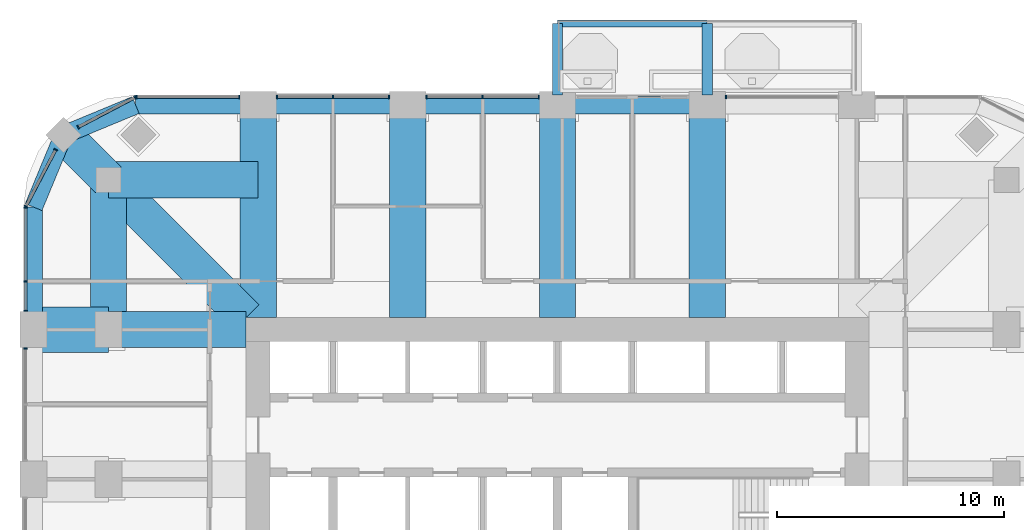
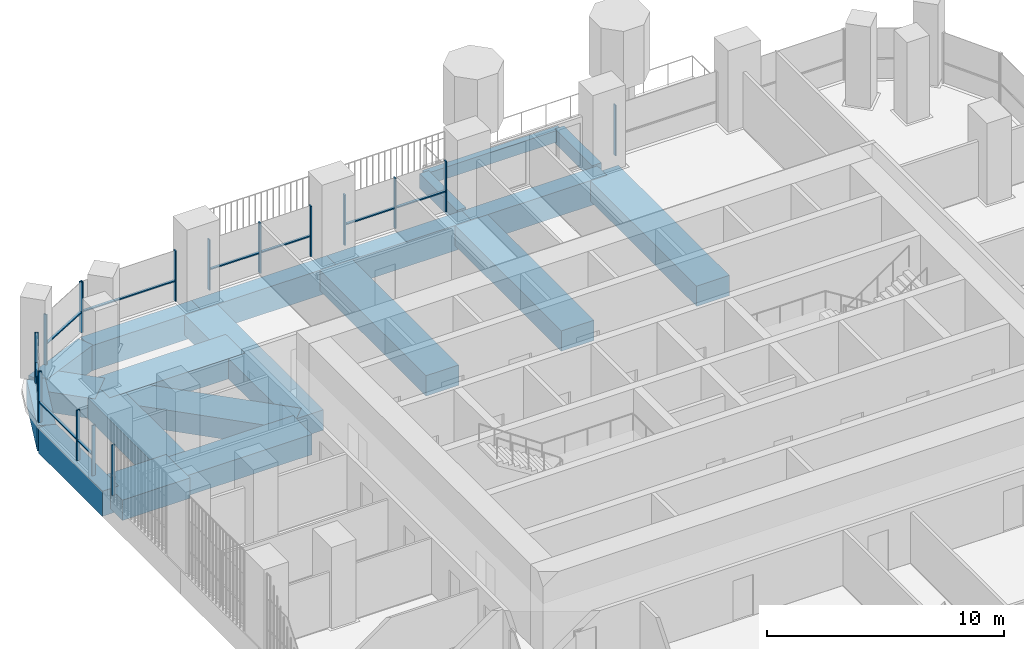
# One storey, part 6 of 20: 26 members, 20 beams, 8 elements without a shape of their own.
"""IFC4 building model written with IfcOpenShell, lengths in metres."""

from ifc_helpers import new_model, si_unit, direction, frame, origin, origin_2d, place, context, subcontext, project, spatial, rectangle, extrude, material, material_profile, profile_set, type_object, element, aggregate, save


model = new_model("IFC4")

# Units and contexts
model_context = context("Model", 3, precision=1e-05, world=origin(), true_north=direction((0.0, 1.0)))
body_context = subcontext(model_context, "Body", "Model", "MODEL_VIEW")
ifc_project = project(units=[si_unit("LENGTHUNIT", "METRE"), si_unit("AREAUNIT", "SQUARE_METRE"), si_unit("VOLUMEUNIT", "CUBIC_METRE"), si_unit("PLANEANGLEUNIT", "RADIAN"), si_unit("MASSUNIT", "GRAM", prefix="KILO")], contexts=[model_context])

# Site, building, storey
site_placement = place(None, origin())
site = spatial("IfcSite", under=ifc_project, at=site_placement, CompositionType="ELEMENT")
building_placement = place(site_placement, origin())
building = spatial("IfcBuilding", under=site, at=building_placement, Name="Cobogo Forest Laboratory Tower", CompositionType="ELEMENT")
storey_placement = place(building_placement, frame((0.0, 0.0, 214.5)))
storey = spatial("IfcBuildingStorey", under=building, at=storey_placement, Name="L49", CompositionType="ELEMENT", Elevation=214.5)

# Beams
ifc_material_1 = material(Name="Concrete HA-40 (C40/50)", Category="concrete")
ifc_material_profile_1 = material_profile(ifc_material_1, rectangle(XDim=0.449951171875, YDim=0.75, at=origin_2d()), Name="RC 450x750")
ifc_profile_set_1 = profile_set([ifc_material_profile_1], Name="Concrete HA-40 (C40/50)")
beam_type_1 = type_object("IfcBeamType", Name="Balcony cantilever beam 450x750", PredefinedType="BEAM", material=ifc_profile_set_1)
for number, where, z_axis, x_axis, name in (
    (1, (26.39990234375, 43.35009765625, -0.625), (0.0, 1.0, 0.0), (-1.0, 0.0, 0.0), "CB1 BAL-N1-C1 L49"),
    (2, (33.0, 43.35009765625, -0.625), (0.0, 1.0, 0.0), (-1.0, 0.0, 0.0), "CB1 BAL-N1-C2 L49"),
):
    element("IfcBeam", number, at=place(storey_placement, frame(where, z_axis=z_axis, x_axis=x_axis)), inside=storey, type_object=beam_type_1, Name=name, PredefinedType="BEAM", context=body_context, shape_type="SweptSolid", body=[
        extrude(rectangle(XDim=0.449951171875, YDim=0.75, at=origin_2d()), origin(), (0.0, 0.0, 1.0), 3.14990234375),
    ])
ifc_material_profile_2 = material_profile(ifc_material_1, rectangle(XDim=0.300048828125, YDim=0.60009765625, at=origin_2d()), Name="RC 300x600")
ifc_profile_set_2 = profile_set([ifc_material_profile_2], Name="Concrete HA-40 (C40/50)")
beam_type_2 = type_object("IfcBeamType", Name="Balcony edge beam 300x600", PredefinedType="BEAM", material=ifc_profile_set_2)
beam_1_placement = place(storey_placement, frame((26.39990234375, 46.5, -0.550048828125), z_axis=(1.0, 0.0, 0.0), x_axis=(0.0, 1.0, 0.0)))
element("IfcBeam", 3, at=beam_1_placement, inside=storey, type_object=beam_type_2, Name="BB1 BAL-N1-T1 L49", PredefinedType="BEAM", context=body_context, shape_type="SweptSolid", body=[
    extrude(rectangle(XDim=0.300048828125, YDim=0.60009765625, at=origin_2d()), origin(), (0.0, 0.0, 1.0), 6.60009765625),
])
ifc_material_2 = material(Name="Concrete HA-50 (C50/60)", Category="concrete")
ifc_material_profile_3 = material_profile(ifc_material_2, rectangle(XDim=2.0, YDim=1.050048828125, at=origin_2d()), Name="RC 2000x1050")
ifc_profile_set_3 = profile_set([ifc_material_profile_3], Name="Concrete HA-50 (C50/60)")
beam_type_3 = type_object("IfcBeamType", Name="End-bay wide beam 2000x1050", PredefinedType="BEAM", material=ifc_profile_set_3)
beam_2_placement = place(storey_placement, frame((3.300048828125, 33.0, -0.824951171875), z_axis=(1.0, 0.0, 0.0), x_axis=(0.0, 1.0, 0.0)))
element("IfcBeam", 4, at=beam_2_placement, inside=storey, type_object=beam_type_3, Name="RB7 R-F-W-X L49", PredefinedType="BEAM", context=body_context, shape_type="SweptSolid", body=[
    extrude(rectangle(XDim=2.0, YDim=1.050048828125, at=origin_2d()), origin(), (0.0, 0.0, 1.0), 3.300048828125),
])
ifc_material_profile_4 = material_profile(ifc_material_2, rectangle(XDim=1.60009765625, YDim=1.050048828125, at=origin_2d()), Name="RC 1600x1050")
ifc_profile_set_4 = profile_set([ifc_material_profile_4], Name="Concrete HA-50 (C50/60)")
beam_type_4 = type_object("IfcBeamType", Name="Laboratory floor wide beam 1600x1050", PredefinedType="BEAM", material=ifc_profile_set_4)
for number, where, z_axis, x_axis, name in (
    (5, (13.199951171875, 33.52490234375, -0.824951171875), (0.0, 1.0, 0.0), (-1.0, 0.0, 0.0), "RB8 R-3-N L49"),
    (6, (19.800048828125, 33.52490234375, -0.824951171875), (0.0, 1.0, 0.0), (-1.0, 0.0, 0.0), "RB8 R-4-N L49"),
    (7, (26.39990234375, 33.52490234375, -0.824951171875), (0.0, 1.0, 0.0), (-1.0, 0.0, 0.0), "RB8 R-5-N L49"),
    (8, (33.0, 33.52490234375, -0.824951171875), (0.0, 1.0, 0.0), (-1.0, 0.0, 0.0), "RB8 R-6-N L49"),
):
    element("IfcBeam", number, at=place(storey_placement, frame(where, z_axis=z_axis, x_axis=x_axis)), inside=storey, type_object=beam_type_4, Name=name, PredefinedType="BEAM", context=body_context, shape_type="SweptSolid", body=[
        extrude(rectangle(XDim=1.60009765625, YDim=1.050048828125, at=origin_2d()), origin(), (0.0, 0.0, 1.0), 9.375),
    ])
beam_3_placement = place(storey_placement, frame((12.675048828125, 33.0, -0.824951171875), z_axis=(-1.0, 0.0, 0.0), x_axis=(0.0, -1.0, 0.0)))
element("IfcBeam", 9, at=beam_3_placement, inside=storey, type_object=beam_type_4, Name="RB8 R-F-W L49", PredefinedType="BEAM", context=body_context, shape_type="SweptSolid", body=[
    extrude(rectangle(XDim=1.60009765625, YDim=1.050048828125, at=origin_2d()), origin(), (0.0, 0.0, 1.0), 6.074951171875),
])
beam_4_placement = place(storey_placement, frame((6.60009765625, 39.60009765625, -0.824951171875), z_axis=(0.0, -1.0, 0.0), x_axis=(1.0, 0.0, 0.0)))
element("IfcBeam", 10, at=beam_4_placement, inside=storey, type_object=beam_type_4, Name="RB8 G-NW-XC L49", PredefinedType="BEAM", context=body_context, shape_type="SweptSolid", body=[
    extrude(rectangle(XDim=1.60009765625, YDim=1.050048828125, at=origin_2d()), origin(), (0.0, 0.0, 1.0), 6.60009765625),
])
beam_5_placement = place(storey_placement, frame((6.60009765625, 39.60009765625, -0.824951171875), z_axis=(1.0, 0.0, 0.0), x_axis=(0.0, 1.0, 0.0)))
element("IfcBeam", 11, at=beam_5_placement, inside=storey, type_object=beam_type_4, Name="RB8 G-NW-YC L49", PredefinedType="BEAM", context=body_context, shape_type="SweptSolid", body=[
    extrude(rectangle(XDim=1.60009765625, YDim=1.050048828125, at=origin_2d()), origin(), (0.0, 0.0, 1.0), 6.599853515625),
])
beam_6_placement = place(storey_placement, frame((4.617919921875, 41.58203125, -0.824951171875), z_axis=(0.707150328948, -0.707063230743, 0.0), x_axis=(0.707063230743, 0.707150328948, 0.0)))
element("IfcBeam", 12, at=beam_6_placement, inside=storey, type_object=beam_type_4, Name="RB8 G-NW-D1 L49", PredefinedType="BEAM", context=body_context, shape_type="SweptSolid", body=[
    extrude(rectangle(XDim=1.60009765625, YDim=1.050048828125, at=origin_2d()), origin(), (0.0, 0.0, 1.0), 2.802978515625),
])
beam_7_placement = place(storey_placement, frame((6.60009765625, 39.60009765625, -0.824951171875), z_axis=(0.707092572697, -0.70712098939, 0.0), x_axis=(0.70712098939, 0.707092572697, 0.0)))
element("IfcBeam", 13, at=beam_7_placement, inside=storey, type_object=beam_type_4, Name="RB8 G-NW-D2 L49", PredefinedType="BEAM", context=body_context, shape_type="SweptSolid", body=[
    extrude(rectangle(XDim=1.60009765625, YDim=1.050048828125, at=origin_2d()), origin(), (0.0, 0.0, 1.0), 8.591552734375),
])

# Curtain wall, member
ifc_material_3 = material(Name="Aluminium curtain wall", Category="aluminium")
curtain_wall_type = type_object("IfcCurtainWallType", Name="CW-2 unitised curtain wall, solar control glazing, laboratory floors zones C and D", PredefinedType="USERDEFINED", material=ifc_material_3)
curtain_wall_1_placement = place(storey_placement, origin())
curtain_wall_1 = element("IfcCurtainWall", 14, at=curtain_wall_1_placement, inside=storey, type_object=curtain_wall_type, Name="Curtain wall 17 L49", ObjectType="UNITISED CURTAIN WALL", PredefinedType="USERDEFINED")
ifc_material_4 = material(Name="Aluminium mullion", Category="aluminium")
ifc_material_profile_5 = material_profile(ifc_material_4, rectangle(XDim=0.06005859375, YDim=0.159912109375, at=origin_2d()), Name="AL 60x160")
ifc_profile_set_5 = profile_set([ifc_material_profile_5], Name="Aluminium mullion")
member_type_1 = type_object("IfcMemberType", Name="MU-1 aluminium mullion 60x160", PredefinedType="MULLION", material=ifc_profile_set_5)
member_1_placement = place(storey_placement, frame((33.830078125, 43.25, 0.0), z_axis=(0.0, 0.0, 1.0), x_axis=(-1.0, 0.0, 0.0)))
member_1 = element("IfcMember", 15, at=member_1_placement, type_object=member_type_1, Name="CW-2 mullion 2", PredefinedType="MULLION", context=body_context, shape_type="SweptSolid", body=[
    extrude(rectangle(XDim=0.06005859375, YDim=0.159912109375, at=origin_2d()), origin(), (0.0, 0.0, 1.0), 2.60009765625),
])
aggregate(curtain_wall_1, [member_1])

# Curtain wall, members
curtain_wall_2_placement = place(storey_placement, origin())
curtain_wall_2 = element("IfcCurtainWall", 16, at=curtain_wall_2_placement, inside=storey, type_object=curtain_wall_type, Name="Curtain wall 19 L49", ObjectType="UNITISED CURTAIN WALL", PredefinedType="USERDEFINED")
member_2_placement = place(storey_placement, frame((25.570068359375, 43.25, 0.0), z_axis=(0.0, 0.0, 1.0), x_axis=(-1.0, 0.0, 0.0)))
member_2 = element("IfcMember", 17, at=member_2_placement, type_object=member_type_1, Name="CW-2 mullion 1", PredefinedType="MULLION", context=body_context, shape_type="SweptSolid", body=[
    extrude(rectangle(XDim=0.06005859375, YDim=0.159912109375, at=origin_2d()), origin(), (0.0, 0.0, 1.0), 2.60009765625),
])
member_3_placement = place(storey_placement, frame((23.10009765625, 43.25, 0.0), z_axis=(0.0, 0.0, 1.0), x_axis=(-1.0, 0.0, 0.0)))
member_3 = element("IfcMember", 18, at=member_3_placement, type_object=member_type_1, Name="CW-2 mullion 2", PredefinedType="MULLION", context=body_context, shape_type="SweptSolid", body=[
    extrude(rectangle(XDim=0.06005859375, YDim=0.159912109375, at=origin_2d()), origin(), (0.0, 0.0, 1.0), 2.60009765625),
])
member_4_placement = place(storey_placement, frame((20.6298828125, 43.25, 0.0), z_axis=(0.0, 0.0, 1.0), x_axis=(-1.0, 0.0, 0.0)))
member_4 = element("IfcMember", 19, at=member_4_placement, type_object=member_type_1, Name="CW-2 mullion 3", PredefinedType="MULLION", context=body_context, shape_type="SweptSolid", body=[
    extrude(rectangle(XDim=0.06005859375, YDim=0.159912109375, at=origin_2d()), origin(), (0.0, 0.0, 1.0), 2.60009765625),
])

curtain_wall_3_placement = place(storey_placement, origin())
curtain_wall_3 = element("IfcCurtainWall", 20, at=curtain_wall_3_placement, inside=storey, type_object=curtain_wall_type, Name="Curtain wall 20 L49", ObjectType="UNITISED CURTAIN WALL", PredefinedType="USERDEFINED")
member_5_placement = place(storey_placement, frame((18.969970703125, 43.25, 0.0), z_axis=(0.0, 0.0, 1.0), x_axis=(-1.0, 0.0, 0.0)))
member_5 = element("IfcMember", 21, at=member_5_placement, type_object=member_type_1, Name="CW-2 mullion 1", PredefinedType="MULLION", context=body_context, shape_type="SweptSolid", body=[
    extrude(rectangle(XDim=0.06005859375, YDim=0.159912109375, at=origin_2d()), origin(), (0.0, 0.0, 1.0), 2.60009765625),
])
member_6_placement = place(storey_placement, frame((16.5, 43.25, 0.0), z_axis=(0.0, 0.0, 1.0), x_axis=(-1.0, 0.0, 0.0)))
member_6 = element("IfcMember", 22, at=member_6_placement, type_object=member_type_1, Name="CW-2 mullion 2", PredefinedType="MULLION", context=body_context, shape_type="SweptSolid", body=[
    extrude(rectangle(XDim=0.06005859375, YDim=0.159912109375, at=origin_2d()), origin(), (0.0, 0.0, 1.0), 2.60009765625),
])
member_7_placement = place(storey_placement, frame((14.030029296875, 43.25, 0.0), z_axis=(0.0, 0.0, 1.0), x_axis=(-1.0, 0.0, 0.0)))
member_7 = element("IfcMember", 23, at=member_7_placement, type_object=member_type_1, Name="CW-2 mullion 3", PredefinedType="MULLION", context=body_context, shape_type="SweptSolid", body=[
    extrude(rectangle(XDim=0.06005859375, YDim=0.159912109375, at=origin_2d()), origin(), (0.0, 0.0, 1.0), 2.60009765625),
])

curtain_wall_4_placement = place(storey_placement, origin())
curtain_wall_4 = element("IfcCurtainWall", 24, at=curtain_wall_4_placement, inside=storey, type_object=curtain_wall_type, Name="Curtain wall 21 L49", ObjectType="UNITISED CURTAIN WALL", PredefinedType="USERDEFINED")
member_8_placement = place(storey_placement, frame((12.3701171875, 43.25, 0.0), z_axis=(0.0, 0.0, 1.0), x_axis=(-1.0, 0.0, 0.0)))
member_8 = element("IfcMember", 25, at=member_8_placement, type_object=member_type_1, Name="CW-2 mullion 1", PredefinedType="MULLION", context=body_context, shape_type="SweptSolid", body=[
    extrude(rectangle(XDim=0.06005859375, YDim=0.159912109375, at=origin_2d()), origin(), (0.0, 0.0, 1.0), 2.60009765625),
])
member_9_placement = place(storey_placement, frame((7.830078125, 43.25, 0.0), z_axis=(0.0, 0.0, 1.0), x_axis=(-1.0, 0.0, 0.0)))
member_9 = element("IfcMember", 26, at=member_9_placement, type_object=member_type_1, Name="CW-2 mullion 2", PredefinedType="MULLION", context=body_context, shape_type="SweptSolid", body=[
    extrude(rectangle(XDim=0.06005859375, YDim=0.159912109375, at=origin_2d()), origin(), (0.0, 0.0, 1.0), 2.60009765625),
])

curtain_wall_5_placement = place(storey_placement, origin())
curtain_wall_5 = element("IfcCurtainWall", 27, at=curtain_wall_5_placement, inside=storey, type_object=curtain_wall_type, Name="Curtain wall 22 L49", ObjectType="UNITISED CURTAIN WALL", PredefinedType="USERDEFINED")
member_10_placement = place(storey_placement, frame((7.7734375, 43.236083984375, 0.0), z_axis=(0.0, 0.0, 1.0), x_axis=(-0.885686484356, -0.464283804832, 0.0)))
member_10 = element("IfcMember", 28, at=member_10_placement, type_object=member_type_1, Name="CW-2 mullion 1", PredefinedType="MULLION", context=body_context, shape_type="SweptSolid", body=[
    extrude(rectangle(XDim=0.06005859375, YDim=0.159912109375, at=origin_2d()), origin(), (0.0, 0.0, 1.0), 2.60009765625),
])
member_11_placement = place(storey_placement, frame((5.275634765625, 41.9267578125, 0.0), z_axis=(0.0, 0.0, 1.0), x_axis=(-0.885686484356, -0.464283804832, 0.0)))
member_11 = element("IfcMember", 29, at=member_11_placement, type_object=member_type_1, Name="CW-2 mullion 2", PredefinedType="MULLION", context=body_context, shape_type="SweptSolid", body=[
    extrude(rectangle(XDim=0.06005859375, YDim=0.159912109375, at=origin_2d()), origin(), (0.0, 0.0, 1.0), 2.60009765625),
])

curtain_wall_6_placement = place(storey_placement, origin())
curtain_wall_6 = element("IfcCurtainWall", 30, at=curtain_wall_6_placement, inside=storey, type_object=curtain_wall_type, Name="Curtain wall 23 L49", ObjectType="UNITISED CURTAIN WALL", PredefinedType="USERDEFINED")
member_12_placement = place(storey_placement, frame((4.2734375, 40.924560546875, 0.0), z_axis=(0.0, 0.0, 1.0), x_axis=(-0.464283804832, -0.885686484356, 0.0)))
member_12 = element("IfcMember", 31, at=member_12_placement, type_object=member_type_1, Name="CW-2 mullion 1", PredefinedType="MULLION", context=body_context, shape_type="SweptSolid", body=[
    extrude(rectangle(XDim=0.06005859375, YDim=0.159912109375, at=origin_2d()), origin(), (0.0, 0.0, 1.0), 2.60009765625),
])
member_13_placement = place(storey_placement, frame((2.9638671875, 38.426513671875, 0.0), z_axis=(0.0, 0.0, 1.0), x_axis=(-0.464283804832, -0.885686484356, 0.0)))
member_13 = element("IfcMember", 32, at=member_13_placement, type_object=member_type_1, Name="CW-2 mullion 2", PredefinedType="MULLION", context=body_context, shape_type="SweptSolid", body=[
    extrude(rectangle(XDim=0.06005859375, YDim=0.159912109375, at=origin_2d()), origin(), (0.0, 0.0, 1.0), 2.60009765625),
])

curtain_wall_7_placement = place(storey_placement, origin())
curtain_wall_7 = element("IfcCurtainWall", 33, at=curtain_wall_7_placement, inside=storey, type_object=curtain_wall_type, Name="Curtain wall 24 L49", ObjectType="UNITISED CURTAIN WALL", PredefinedType="USERDEFINED")
member_14_placement = place(storey_placement, frame((2.949951171875, 38.3701171875, 0.0), z_axis=(0.0, 0.0, 1.0), x_axis=(0.0, -1.0, 0.0)))
member_14 = element("IfcMember", 34, at=member_14_placement, type_object=member_type_1, Name="CW-2 mullion 1", PredefinedType="MULLION", context=body_context, shape_type="SweptSolid", body=[
    extrude(rectangle(XDim=0.06005859375, YDim=0.159912109375, at=origin_2d()), origin(), (0.0, 0.0, 1.0), 2.60009765625),
])
member_15_placement = place(storey_placement, frame((2.949951171875, 35.125, 0.0), z_axis=(0.0, 0.0, 1.0), x_axis=(0.0, -1.0, 0.0)))
member_15 = element("IfcMember", 35, at=member_15_placement, type_object=member_type_1, Name="CW-2 mullion 2", PredefinedType="MULLION", context=body_context, shape_type="SweptSolid", body=[
    extrude(rectangle(XDim=0.06005859375, YDim=0.159912109375, at=origin_2d()), origin(), (0.0, 0.0, 1.0), 2.60009765625),
])
member_16_placement = place(storey_placement, frame((2.949951171875, 33.830078125, 0.0), z_axis=(0.0, 0.0, 1.0), x_axis=(0.0, -1.0, 0.0)))
member_16 = element("IfcMember", 36, at=member_16_placement, type_object=member_type_1, Name="CW-2 mullion 3", PredefinedType="MULLION", context=body_context, shape_type="SweptSolid", body=[
    extrude(rectangle(XDim=0.06005859375, YDim=0.159912109375, at=origin_2d()), origin(), (0.0, 0.0, 1.0), 2.60009765625),
])

# Curtain wall, member
curtain_wall_8_placement = place(storey_placement, origin())
curtain_wall_8 = element("IfcCurtainWall", 37, at=curtain_wall_8_placement, inside=storey, type_object=curtain_wall_type, Name="Curtain wall 25 L49", ObjectType="UNITISED CURTAIN WALL", PredefinedType="USERDEFINED")
member_17_placement = place(storey_placement, frame((2.949951171875, 32.169921875, 0.0), z_axis=(0.0, 0.0, 1.0), x_axis=(0.0, -1.0, 0.0)))
member_17 = element("IfcMember", 38, at=member_17_placement, type_object=member_type_1, Name="CW-2 mullion 1", PredefinedType="MULLION", context=body_context, shape_type="SweptSolid", body=[
    extrude(rectangle(XDim=0.06005859375, YDim=0.159912109375, at=origin_2d()), origin(), (0.0, 0.0, 1.0), 2.60009765625),
])
aggregate(curtain_wall_8, [member_17])

# Beams
ifc_material_profile_6 = material_profile(ifc_material_1, rectangle(XDim=0.800048828125, YDim=1.300048828125, at=origin_2d()), Name="RC 800x1300")
ifc_profile_set_6 = profile_set([ifc_material_profile_6], Name="Concrete HA-40 (C40/50)")
beam_type_5 = type_object("IfcBeamType", Name="Perimeter edge beam 800x1300", PredefinedType="BEAM", material=ifc_profile_set_6)
beam_8_placement = place(storey_placement, frame((13.199951171875, 42.89990234375, -0.949951171875), z_axis=(1.0, 0.0, 0.0), x_axis=(0.0, 1.0, 0.0)))
element("IfcBeam", 39, at=beam_8_placement, inside=storey, type_object=beam_type_5, Name="EB2 E-N1 L49", PredefinedType="BEAM", context=body_context, shape_type="SweptSolid", body=[
    extrude(rectangle(XDim=0.800048828125, YDim=1.300048828125, at=origin_2d()), origin(), (0.0, 0.0, 1.0), 6.60009765625),
])
beam_9_placement = place(storey_placement, frame((19.800048828125, 42.89990234375, -0.949951171875), z_axis=(1.0, 0.0, 0.0), x_axis=(0.0, 1.0, 0.0)))
element("IfcBeam", 40, at=beam_9_placement, inside=storey, type_object=beam_type_5, Name="EB2 E-N2 L49", PredefinedType="BEAM", context=body_context, shape_type="SweptSolid", body=[
    extrude(rectangle(XDim=0.800048828125, YDim=1.300048828125, at=origin_2d()), origin(), (0.0, 0.0, 1.0), 6.599853515625),
])
beam_10_placement = place(storey_placement, frame((26.39990234375, 42.89990234375, -0.949951171875), z_axis=(1.0, 0.0, 0.0), x_axis=(0.0, 1.0, 0.0)))
element("IfcBeam", 41, at=beam_10_placement, inside=storey, type_object=beam_type_5, Name="EB2 E-N3 L49", PredefinedType="BEAM", context=body_context, shape_type="SweptSolid", body=[
    extrude(rectangle(XDim=0.800048828125, YDim=1.300048828125, at=origin_2d()), origin(), (0.0, 0.0, 1.0), 6.60009765625),
])
beam_11_placement = place(storey_placement, frame((13.199951171875, 42.89990234375, -0.949951171875), z_axis=(-1.0, 0.0, 0.0), x_axis=(0.0, -1.0, 0.0)))
element("IfcBeam", 42, at=beam_11_placement, inside=storey, type_object=beam_type_5, Name="EB2 E-NWN1 L49", PredefinedType="BEAM", context=body_context, shape_type="SweptSolid", body=[
    extrude(rectangle(XDim=0.800048828125, YDim=1.300048828125, at=origin_2d()), origin(), (0.0, 0.0, 1.0), 5.39990234375),
])
beam_12_placement = place(storey_placement, frame((7.800048828125, 42.89990234375, -0.949951171875), z_axis=(-0.923901072997, -0.382631424892, 0.0), x_axis=(0.382631424892, -0.923901072997, 0.0)))
element("IfcBeam", 43, at=beam_12_placement, inside=storey, type_object=beam_type_5, Name="EB2 E-NWN2 L49", PredefinedType="BEAM", context=body_context, shape_type="SweptSolid", body=[
    extrude(rectangle(XDim=0.800048828125, YDim=1.300048828125, at=origin_2d()), origin(), (0.0, 0.0, 1.0), 3.4443359375),
])
beam_13_placement = place(storey_placement, frame((3.300048828125, 33.0, -0.949951171875), z_axis=(0.0, 1.0, 0.0), x_axis=(-1.0, 0.0, 0.0)))
element("IfcBeam", 44, at=beam_13_placement, inside=storey, type_object=beam_type_5, Name="EB2 E-NWW1 L49", PredefinedType="BEAM", context=body_context, shape_type="SweptSolid", body=[
    extrude(rectangle(XDim=0.800048828125, YDim=1.300048828125, at=origin_2d()), origin(), (0.0, 0.0, 1.0), 5.39990234375),
])
beam_14_placement = place(storey_placement, frame((3.300048828125, 38.39990234375, -0.949951171875), z_axis=(0.382631424892, 0.923901072997, 0.0), x_axis=(-0.923901072997, 0.382631424892, 0.0)))
element("IfcBeam", 45, at=beam_14_placement, inside=storey, type_object=beam_type_5, Name="EB2 E-NWW2 L49", PredefinedType="BEAM", context=body_context, shape_type="SweptSolid", body=[
    extrude(rectangle(XDim=0.800048828125, YDim=1.300048828125, at=origin_2d()), origin(), (0.0, 0.0, 1.0), 3.4443359375),
])

# Member
ifc_material_5 = material(Name="Aluminium transom", Category="aluminium")
ifc_material_profile_7 = material_profile(ifc_material_5, rectangle(XDim=0.1201171875, YDim=0.06005859375, at=origin_2d()), Name="AL 60x120")
ifc_profile_set_7 = profile_set([ifc_material_profile_7], Name="Aluminium transom")
member_type_2 = type_object("IfcMemberType", Name="TR-1 aluminium transom 60x120", PredefinedType="USERDEFINED", material=ifc_profile_set_7)
member_18_placement = place(storey_placement, frame((25.5400390625, 43.25, 1.050048828125), z_axis=(-1.0, 0.0, 0.0), x_axis=(0.0, -1.0, 0.0)))
member_18 = element("IfcMember", 46, at=member_18_placement, type_object=member_type_2, Name="CW-2 transom 1.1", ObjectType="TRANSOM", PredefinedType="USERDEFINED", context=body_context, shape_type="SweptSolid", body=[
    extrude(rectangle(XDim=0.1201171875, YDim=0.06005859375, at=origin_2d()), origin(), (0.0, 0.0, 1.0), 2.41015625),
])

member_19_placement = place(storey_placement, frame((23.070068359375, 43.25, 1.050048828125), z_axis=(-1.0, 0.0, 0.0), x_axis=(0.0, -1.0, 0.0)))
member_19 = element("IfcMember", 47, at=member_19_placement, type_object=member_type_2, Name="CW-2 transom 2.1", ObjectType="TRANSOM", PredefinedType="USERDEFINED", context=body_context, shape_type="SweptSolid", body=[
    extrude(rectangle(XDim=0.1201171875, YDim=0.06005859375, at=origin_2d()), origin(), (0.0, 0.0, 1.0), 2.41015625),
])

aggregate(curtain_wall_2, [member_2, member_3, member_4, member_18, member_19])

member_20_placement = place(storey_placement, frame((18.93994140625, 43.25, 1.050048828125), z_axis=(-1.0, 0.0, 0.0), x_axis=(0.0, -1.0, 0.0)))
member_20 = element("IfcMember", 48, at=member_20_placement, type_object=member_type_2, Name="CW-2 transom 1.1", ObjectType="TRANSOM", PredefinedType="USERDEFINED", context=body_context, shape_type="SweptSolid", body=[
    extrude(rectangle(XDim=0.1201171875, YDim=0.06005859375, at=origin_2d()), origin(), (0.0, 0.0, 1.0), 2.409912109375),
])

member_21_placement = place(storey_placement, frame((16.469970703125, 43.25, 1.050048828125), z_axis=(-1.0, 0.0, 0.0), x_axis=(0.0, -1.0, 0.0)))
member_21 = element("IfcMember", 49, at=member_21_placement, type_object=member_type_2, Name="CW-2 transom 2.1", ObjectType="TRANSOM", PredefinedType="USERDEFINED", context=body_context, shape_type="SweptSolid", body=[
    extrude(rectangle(XDim=0.1201171875, YDim=0.06005859375, at=origin_2d()), origin(), (0.0, 0.0, 1.0), 2.409912109375),
])

aggregate(curtain_wall_3, [member_5, member_6, member_7, member_20, member_21])

member_22_placement = place(storey_placement, frame((12.340087890625, 43.25, 1.050048828125), z_axis=(-1.0, 0.0, 0.0), x_axis=(0.0, -1.0, 0.0)))
member_22 = element("IfcMember", 50, at=member_22_placement, type_object=member_type_2, Name="CW-2 transom 1.1", ObjectType="TRANSOM", PredefinedType="USERDEFINED", context=body_context, shape_type="SweptSolid", body=[
    extrude(rectangle(XDim=0.1201171875, YDim=0.06005859375, at=origin_2d()), origin(), (0.0, 0.0, 1.0), 4.47998046875),
])

aggregate(curtain_wall_4, [member_8, member_9, member_22])

member_23_placement = place(storey_placement, frame((7.746826171875, 43.22216796875, 1.050048828125), z_axis=(-0.88570166389, -0.464254846591, 0.0), x_axis=(0.464254846591, -0.88570166389, 0.0)))
member_23 = element("IfcMember", 51, at=member_23_placement, type_object=member_type_2, Name="CW-2 transom 1.1", ObjectType="TRANSOM", PredefinedType="USERDEFINED", context=body_context, shape_type="SweptSolid", body=[
    extrude(rectangle(XDim=0.1201171875, YDim=0.06005859375, at=origin_2d()), origin(), (0.0, 0.0, 1.0), 2.76025390625),
])

aggregate(curtain_wall_5, [member_10, member_11, member_23])

member_24_placement = place(storey_placement, frame((4.259521484375, 40.89794921875, 1.050048828125), z_axis=(-0.464324225592, -0.885665294301, 0.0), x_axis=(0.885665294301, -0.464324225592, 0.0)))
member_24 = element("IfcMember", 52, at=member_24_placement, type_object=member_type_2, Name="CW-2 transom 1.1", ObjectType="TRANSOM", PredefinedType="USERDEFINED", context=body_context, shape_type="SweptSolid", body=[
    extrude(rectangle(XDim=0.1201171875, YDim=0.06005859375, at=origin_2d()), origin(), (0.0, 0.0, 1.0), 2.760498046875),
])

aggregate(curtain_wall_6, [member_12, member_13, member_24])

member_25_placement = place(storey_placement, frame((2.949951171875, 38.340087890625, 1.050048828125), z_axis=(0.0, -1.0, 0.0), x_axis=(1.0, 0.0, 0.0)))
member_25 = element("IfcMember", 53, at=member_25_placement, type_object=member_type_2, Name="CW-2 transom 1.1", ObjectType="TRANSOM", PredefinedType="USERDEFINED", context=body_context, shape_type="SweptSolid", body=[
    extrude(rectangle(XDim=0.1201171875, YDim=0.06005859375, at=origin_2d()), origin(), (0.0, 0.0, 1.0), 3.18505859375),
])

member_26_placement = place(storey_placement, frame((2.949951171875, 35.094970703125, 1.050048828125), z_axis=(0.0, -1.0, 0.0), x_axis=(1.0, 0.0, 0.0)))
member_26 = element("IfcMember", 54, at=member_26_placement, type_object=member_type_2, Name="CW-2 transom 2.1", ObjectType="TRANSOM", PredefinedType="USERDEFINED", context=body_context, shape_type="SweptSolid", body=[
    extrude(rectangle(XDim=0.1201171875, YDim=0.06005859375, at=origin_2d()), origin(), (0.0, 0.0, 1.0), 1.23486328125),
])

aggregate(curtain_wall_7, [member_14, member_15, member_16, member_25, member_26])

save(model, "model.ifc")
